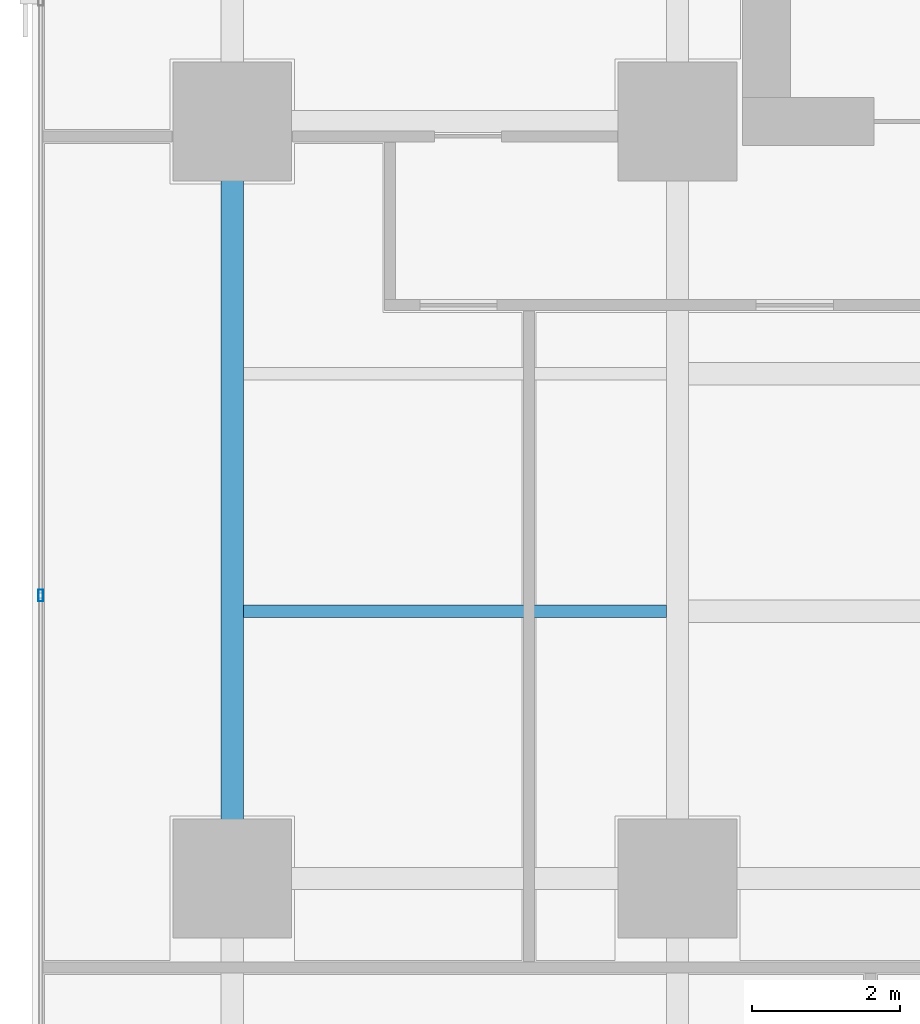
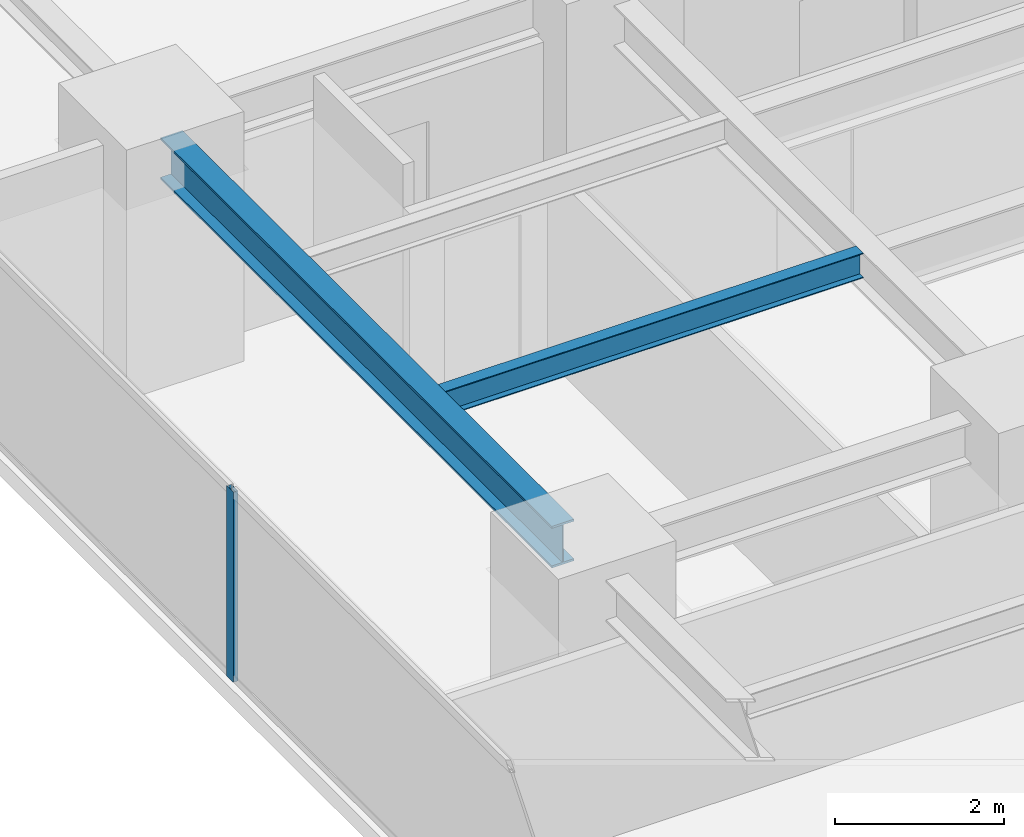
# One storey, part 10 of 34: 2 beams, 1 member, 1 element without a shape of its own.
"""IFC4 building model written with IfcOpenShell, lengths in metres."""

from ifc_helpers import new_model, si_unit, direction, frame, origin, origin_2d, place, context, subcontext, project, spatial, hollow_rectangle, i_section, extrude, source, transform, mapped, material, layer, layer_set, material_profile, profile_set, type_object, element, aggregate, save


model = new_model("IFC4")

# Units and contexts
model_context = context("Model", 3, precision=1e-05, world=origin(), true_north=direction((0.0, 1.0)))
body_context = subcontext(model_context, "Body", "Model", "MODEL_VIEW")
ifc_project = project(units=[si_unit("LENGTHUNIT", "METRE"), si_unit("AREAUNIT", "SQUARE_METRE"), si_unit("VOLUMEUNIT", "CUBIC_METRE"), si_unit("PLANEANGLEUNIT", "RADIAN"), si_unit("MASSUNIT", "GRAM", prefix="KILO")], contexts=[model_context])

# Site, building, storey
site_placement = place(None, origin())
site = spatial("IfcSite", under=ifc_project, at=site_placement, CompositionType="ELEMENT")
building_placement = place(site_placement, origin())
building = spatial("IfcBuilding", under=site, at=building_placement, Name="Sumidabori Civic Tower", CompositionType="ELEMENT")
storey_placement = place(building_placement, frame((0.0, 0.0, 99.199951171875)))
storey = spatial("IfcBuildingStorey", under=building, at=storey_placement, Name="L25", CompositionType="ELEMENT", Elevation=99.199951171875)

# Beams
ifc_material_1 = material(Name="Steel SN490", Category="steel")
ifc_material_profile_1 = material_profile(ifc_material_1, i_section(OverallWidth=0.300048828125, OverallDepth=0.60009765625, WebThickness=0.015380859375, FlangeThickness=0.030029296875, at=origin_2d()), Name="HE 600 B")
ifc_profile_set_1 = profile_set([ifc_material_profile_1], Name="Steel SN490")
beam_type_1 = type_object("IfcBeamType", Name="BM-GIRD-600", PredefinedType="BEAM", material=ifc_profile_set_1)
shared_shape_1 = source(origin(), body_context, "Body", "SweptSolid", [
    extrude(i_section(OverallWidth=0.300048828125, OverallDepth=0.60009765625, WebThickness=0.015380859375, FlangeThickness=0.030029296875, at=origin_2d()), origin(), (0.0, 0.0, 1.0), 9.239990234375),
])
beam_1_placement = place(storey_placement, frame((-22.800048828125, 0.47998046875, 3.06005859375), z_axis=(0.0, 1.0, 0.0), x_axis=(-1.0, 0.0, 0.0)))
element("IfcBeam", 1, at=beam_1_placement, inside=storey, type_object=beam_type_1, Name="Primary Girder L25 GY-23", PredefinedType="BEAM", context=body_context, shape_type="MappedRepresentation", body=[
    mapped(shared_shape_1, transform((0.0, 0.0, 0.0), x_axis=(1.0, 0.0, 0.0), y_axis=(0.0, 1.0, 0.0), z_axis=(0.0, 0.0, 1.0), scale=1.0)),
])
ifc_material_profile_2 = material_profile(ifc_material_1, i_section(OverallWidth=0.169921875, OverallDepth=0.360107421875, WebThickness=0.008056640625, FlangeThickness=0.0126953125, at=origin_2d()), Name="IPE 360")
ifc_profile_set_2 = profile_set([ifc_material_profile_2], Name="Steel SN490")
beam_type_2 = type_object("IfcBeamType", Name="BM-JST-360", PredefinedType="JOIST", material=ifc_profile_set_2)
shared_shape_2 = source(origin(), body_context, "Body", "SweptSolid", [
    extrude(i_section(OverallWidth=0.169921875, OverallDepth=0.360107421875, WebThickness=0.008056640625, FlangeThickness=0.0126953125, at=origin_2d()), origin(), (0.0, 0.0, 1.0), 5.699951171875),
])
beam_2_placement = place(storey_placement, frame((-22.64990234375, 3.60009765625, 3.179931640625), z_axis=(1.0, 0.0, 0.0), x_axis=(0.0, 1.0, 0.0)))
element("IfcBeam", 2, at=beam_2_placement, inside=storey, type_object=beam_type_2, Name="Outer Bay Floor Joist L25 JSTO-47", PredefinedType="JOIST", context=body_context, shape_type="MappedRepresentation", body=[
    mapped(shared_shape_2, transform((0.0, 0.0, 0.0), x_axis=(1.0, 0.0, 0.0), y_axis=(0.0, 1.0, 0.0), z_axis=(0.0, 0.0, 1.0), scale=1.0)),
])

# Curtain wall, member
ifc_material_2 = material(Name="Anodised Bronze Aluminium AW-6063-T6", Category="aluminium")
ifc_layer = layer(ifc_material_2, 0.179931640625, Name="Anodised Bronze Aluminium AW-6063-T6")
ifc_layer_set = layer_set([ifc_layer], Name="Anodised Bronze Aluminium AW-6063-T6")
curtain_wall_type = type_object("IfcCurtainWallType", Name="CW-SYS-3", PredefinedType="NOTDEFINED", material=ifc_layer_set)
curtain_wall_placement = place(storey_placement, origin())
curtain_wall = element("IfcCurtainWall", 3, at=curtain_wall_placement, inside=storey, type_object=curtain_wall_type, Name="Curtain Wall CW:L25:R10", PredefinedType="NOTDEFINED")
ifc_material_profile_3 = material_profile(ifc_material_2, hollow_rectangle(XDim=0.06494140625, YDim=0.159912109375, WallThickness=0.0048828125, at=origin_2d()), Name="ALU MULLION 160x65")
ifc_profile_set_3 = profile_set([ifc_material_profile_3], Name="Anodised Bronze Aluminium AW-6063-T6")
member_type = type_object("IfcMemberType", Name="CW-MUL-160", PredefinedType="MULLION", material=ifc_profile_set_3)
shared_shape_3 = source(origin(), body_context, "Body", "SweptSolid", [
    extrude(hollow_rectangle(XDim=0.06494140625, YDim=0.159912109375, WallThickness=0.0048828125, at=origin_2d()), origin(), (0.0, 0.0, 1.0), 2.739990234375),
])
member_placement = place(storey_placement, frame((-25.3798828125, 3.81396484375, 0.0), z_axis=(0.0, 0.0, 1.0), x_axis=(1.0, 0.0, 0.0)))
member = element("IfcMember", 4, at=member_placement, type_object=member_type, Name="CW-3 mullion 3", PredefinedType="MULLION", context=body_context, shape_type="MappedRepresentation", body=[
    mapped(shared_shape_3, transform((0.0, 0.0, 0.0), x_axis=(1.0, 0.0, 0.0), y_axis=(0.0, 1.0, 0.0), z_axis=(0.0, 0.0, 1.0), scale=1.0)),
])
aggregate(curtain_wall, [member])

save(model, "model.ifc")
